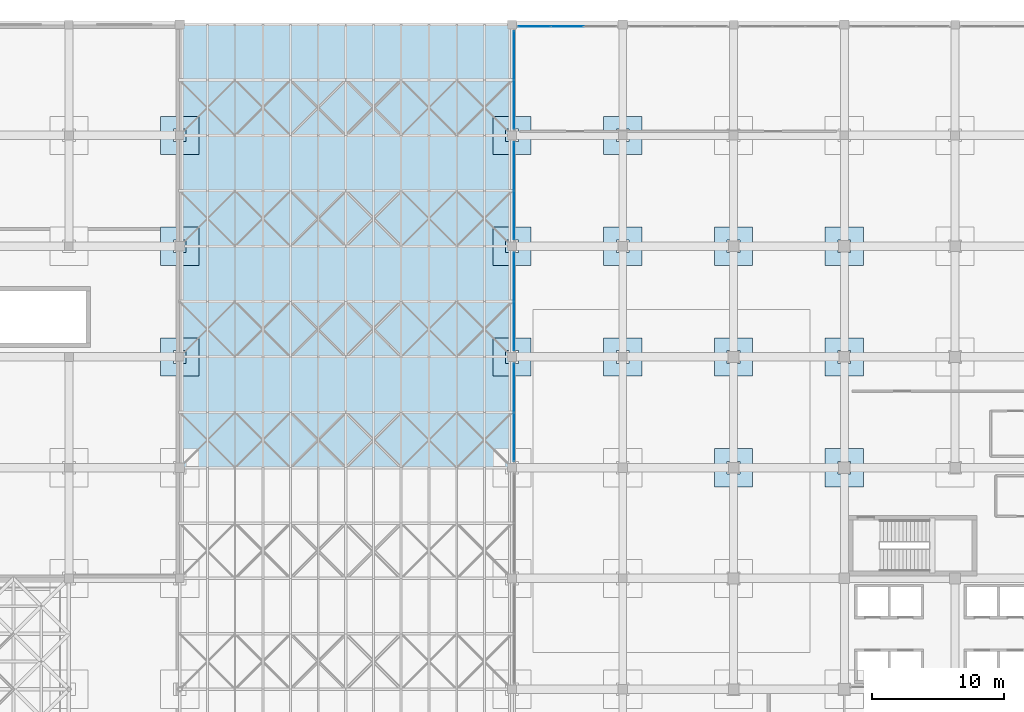
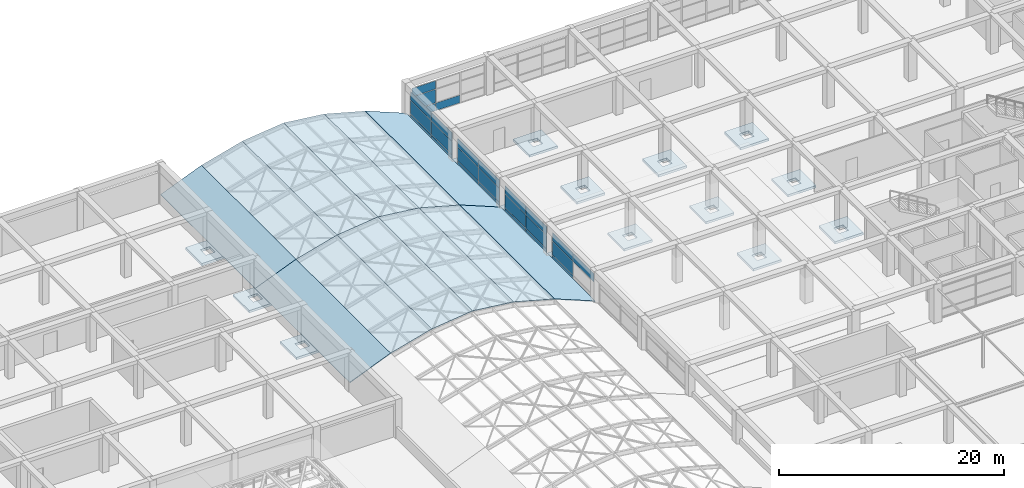
# One storey, part 69 of 85: 27 slabs, 26 plates, 7 elements without a shape of their own.
"""IFC4 building model written with IfcOpenShell, lengths in metres."""

from ifc_helpers import new_model, si_unit, direction, frame, origin, origin_2d, place, context, subcontext, project, spatial, polyline, rectangle, outline, extrude, material, layer, layer_set, type_object, element, aggregate, save


model = new_model("IFC4")

# Units and contexts
model_context = context("Model", 3, precision=1e-05, world=origin(), true_north=direction((0.0, 1.0)))
body_context = subcontext(model_context, "Body", "Model", "MODEL_VIEW")
ifc_project = project(units=[si_unit("LENGTHUNIT", "METRE"), si_unit("AREAUNIT", "SQUARE_METRE"), si_unit("VOLUMEUNIT", "CUBIC_METRE"), si_unit("PLANEANGLEUNIT", "RADIAN"), si_unit("MASSUNIT", "GRAM", prefix="KILO")], contexts=[model_context])

# Site, building, storey
site_placement = place(None, origin())
site = spatial("IfcSite", under=ifc_project, at=site_placement, CompositionType="ELEMENT")
building_placement = place(site_placement, origin())
building = spatial("IfcBuilding", under=site, at=building_placement, Name="Almacenes y Pasaje Nevantli", CompositionType="ELEMENT")
storey_placement = place(building_placement, frame((0.0, 0.0, 22.199951171875)))
storey = spatial("IfcBuildingStorey", under=building, at=storey_placement, Name="L05", CompositionType="ELEMENT", Elevation=22.199951171875)

# Curtain wall, plates
ifc_material_1 = material(Name="Thermally Broken Aluminium and Low-E Glass", Category="aluminium")
curtain_wall_type = type_object("IfcCurtainWallType", Name="CW-UNIT-PODIUM", PredefinedType="USERDEFINED", material=ifc_material_1)
curtain_wall_1_placement = place(storey_placement, origin())
curtain_wall_1 = element("IfcCurtainWall", 1, at=curtain_wall_1_placement, inside=storey, type_object=curtain_wall_type, Name="L05 Sky-Lobby North Curtain Wall Bay 12", ObjectType="UNITIZED CURTAIN WALL", PredefinedType="USERDEFINED")
ifc_material_2 = material(Name="Low-E Double Glazed Insulated Unit", Category="glass")
ifc_layer_1 = layer(ifc_material_2, 0.031982421875)
ifc_layer_set_1 = layer_set([ifc_layer_1], Name="Low-E Double Glazed Insulated Unit")
plate_type = type_object("IfcPlateType", Name="PL-IGU-32", PredefinedType="CURTAIN_PANEL", material=ifc_layer_set_1)
plate_1_placement = place(storey_placement, frame((94.11376953125, 117.449951171875, 0.05517578125), z_axis=(0.0, 0.0, 1.0), x_axis=(1.0, 0.0, 0.0)))
plate_1 = element("IfcPlate", 2, at=plate_1_placement, type_object=plate_type, Name="CW-L05-083 panel 1.1", PredefinedType="CURTAIN_PANEL", context=body_context, shape_type="SweptSolid", body=[
    extrude(rectangle(XDim=2.41748046875, YDim=0.031982421875, at=origin_2d()), origin(), (0.0, 0.0, 1.0), 0.8173828125),
])
plate_2_placement = place(storey_placement, frame((94.11376953125, 117.449951171875, 0.927734375), z_axis=(0.0, 0.0, 1.0), x_axis=(1.0, 0.0, 0.0)))
plate_2 = element("IfcPlate", 3, at=plate_2_placement, type_object=plate_type, Name="CW-L05-083 panel 1.2", PredefinedType="CURTAIN_PANEL", context=body_context, shape_type="SweptSolid", body=[
    extrude(rectangle(XDim=2.41748046875, YDim=0.031982421875, at=origin_2d()), origin(), (0.0, 0.0, 1.0), 1.445068359375),
])
plate_3_placement = place(storey_placement, frame((94.11376953125, 117.449951171875, 2.427734375), z_axis=(0.0, 0.0, 1.0), x_axis=(1.0, 0.0, 0.0)))
plate_3 = element("IfcPlate", 4, at=plate_3_placement, type_object=plate_type, Name="CW-L05-083 panel 1.3", PredefinedType="CURTAIN_PANEL", context=body_context, shape_type="SweptSolid", body=[
    extrude(rectangle(XDim=2.41748046875, YDim=0.031982421875, at=origin_2d()), origin(), (0.0, 0.0, 1.0), 0.887451171875),
])
plate_4_placement = place(storey_placement, frame((96.60009765625, 117.449951171875, 0.05517578125), z_axis=(0.0, 0.0, 1.0), x_axis=(1.0, 0.0, 0.0)))
plate_4 = element("IfcPlate", 5, at=plate_4_placement, type_object=plate_type, Name="CW-L05-083 panel 2.1", PredefinedType="CURTAIN_PANEL", context=body_context, shape_type="SweptSolid", body=[
    extrude(rectangle(XDim=2.445068359375, YDim=0.031982421875, at=origin_2d()), origin(), (0.0, 0.0, 1.0), 0.8173828125),
])
aggregate(curtain_wall_1, [plate_1, plate_2, plate_3, plate_4])

curtain_wall_2_placement = place(storey_placement, origin())
curtain_wall_2 = element("IfcCurtainWall", 6, at=curtain_wall_2_placement, inside=storey, type_object=curtain_wall_type, Name="L05 Sky-Lobby West Arcade View Curtain Wall Bay 11", ObjectType="UNITIZED CURTAIN WALL", PredefinedType="USERDEFINED")
plate_5_placement = place(storey_placement, frame((92.550048828125, 86.3388671875, 2.427734375), z_axis=(0.0, 0.0, 1.0), x_axis=(0.0, 1.0, 0.0)))
plate_5 = element("IfcPlate", 7, at=plate_5_placement, type_object=plate_type, Name="CW-L05-098 panel 1.3", PredefinedType="CURTAIN_PANEL", context=body_context, shape_type="SweptSolid", body=[
    extrude(rectangle(XDim=3.66748046875, YDim=0.031982421875, at=origin_2d()), origin(), (0.0, 0.0, 1.0), 0.887451171875),
])
plate_6_placement = place(storey_placement, frame((92.550048828125, 90.061279296875, 0.05517578125), z_axis=(0.0, 0.0, 1.0), x_axis=(0.0, 1.0, 0.0)))
plate_6 = element("IfcPlate", 8, at=plate_6_placement, type_object=plate_type, Name="CW-L05-098 panel 2.1", PredefinedType="CURTAIN_PANEL", context=body_context, shape_type="SweptSolid", body=[
    extrude(rectangle(XDim=3.66748046875, YDim=0.031982421875, at=origin_2d()), origin(), (0.0, 0.0, 1.0), 0.8173828125),
])
plate_7_placement = place(storey_placement, frame((92.550048828125, 90.061279296875, 0.927734375), z_axis=(0.0, 0.0, 1.0), x_axis=(0.0, 1.0, 0.0)))
plate_7 = element("IfcPlate", 9, at=plate_7_placement, type_object=plate_type, Name="CW-L05-098 panel 2.2", PredefinedType="CURTAIN_PANEL", context=body_context, shape_type="SweptSolid", body=[
    extrude(rectangle(XDim=3.66748046875, YDim=0.031982421875, at=origin_2d()), origin(), (0.0, 0.0, 1.0), 1.445068359375),
])
plate_8_placement = place(storey_placement, frame((92.550048828125, 90.061279296875, 2.427734375), z_axis=(0.0, 0.0, 1.0), x_axis=(0.0, 1.0, 0.0)))
plate_8 = element("IfcPlate", 10, at=plate_8_placement, type_object=plate_type, Name="CW-L05-098 panel 2.3", PredefinedType="CURTAIN_PANEL", context=body_context, shape_type="SweptSolid", body=[
    extrude(rectangle(XDim=3.66748046875, YDim=0.031982421875, at=origin_2d()), origin(), (0.0, 0.0, 1.0), 0.887451171875),
])
aggregate(curtain_wall_2, [plate_5, plate_6, plate_7, plate_8])

curtain_wall_3_placement = place(storey_placement, origin())
curtain_wall_3 = element("IfcCurtainWall", 11, at=curtain_wall_3_placement, inside=storey, type_object=curtain_wall_type, Name="L05 Sky-Lobby West Arcade View Curtain Wall Bay 12", ObjectType="UNITIZED CURTAIN WALL", PredefinedType="USERDEFINED")
plate_9_placement = place(storey_placement, frame((92.550048828125, 94.73876953125, 0.05517578125), z_axis=(0.0, 0.0, 1.0), x_axis=(0.0, 1.0, 0.0)))
plate_9 = element("IfcPlate", 12, at=plate_9_placement, type_object=plate_type, Name="CW-L05-099 panel 1.1", PredefinedType="CURTAIN_PANEL", context=body_context, shape_type="SweptSolid", body=[
    extrude(rectangle(XDim=3.66748046875, YDim=0.031982421875, at=origin_2d()), origin(), (0.0, 0.0, 1.0), 0.8173828125),
])
plate_10_placement = place(storey_placement, frame((92.550048828125, 94.73876953125, 0.927734375), z_axis=(0.0, 0.0, 1.0), x_axis=(0.0, 1.0, 0.0)))
plate_10 = element("IfcPlate", 13, at=plate_10_placement, type_object=plate_type, Name="CW-L05-099 panel 1.2", PredefinedType="CURTAIN_PANEL", context=body_context, shape_type="SweptSolid", body=[
    extrude(rectangle(XDim=3.66748046875, YDim=0.031982421875, at=origin_2d()), origin(), (0.0, 0.0, 1.0), 1.445068359375),
])
plate_11_placement = place(storey_placement, frame((92.550048828125, 94.73876953125, 2.427734375), z_axis=(0.0, 0.0, 1.0), x_axis=(0.0, 1.0, 0.0)))
plate_11 = element("IfcPlate", 14, at=plate_11_placement, type_object=plate_type, Name="CW-L05-099 panel 1.3", PredefinedType="CURTAIN_PANEL", context=body_context, shape_type="SweptSolid", body=[
    extrude(rectangle(XDim=3.66748046875, YDim=0.031982421875, at=origin_2d()), origin(), (0.0, 0.0, 1.0), 0.887451171875),
])
plate_12_placement = place(storey_placement, frame((92.550048828125, 98.461181640625, 0.05517578125), z_axis=(0.0, 0.0, 1.0), x_axis=(0.0, 1.0, 0.0)))
plate_12 = element("IfcPlate", 15, at=plate_12_placement, type_object=plate_type, Name="CW-L05-099 panel 2.1", PredefinedType="CURTAIN_PANEL", context=body_context, shape_type="SweptSolid", body=[
    extrude(rectangle(XDim=3.66748046875, YDim=0.031982421875, at=origin_2d()), origin(), (0.0, 0.0, 1.0), 0.8173828125),
])
plate_13_placement = place(storey_placement, frame((92.550048828125, 98.461181640625, 0.927734375), z_axis=(0.0, 0.0, 1.0), x_axis=(0.0, 1.0, 0.0)))
plate_13 = element("IfcPlate", 16, at=plate_13_placement, type_object=plate_type, Name="CW-L05-099 panel 2.2", PredefinedType="CURTAIN_PANEL", context=body_context, shape_type="SweptSolid", body=[
    extrude(rectangle(XDim=3.66748046875, YDim=0.031982421875, at=origin_2d()), origin(), (0.0, 0.0, 1.0), 1.445068359375),
])
plate_14_placement = place(storey_placement, frame((92.550048828125, 98.461181640625, 2.427734375), z_axis=(0.0, 0.0, 1.0), x_axis=(0.0, 1.0, 0.0)))
plate_14 = element("IfcPlate", 17, at=plate_14_placement, type_object=plate_type, Name="CW-L05-099 panel 2.3", PredefinedType="CURTAIN_PANEL", context=body_context, shape_type="SweptSolid", body=[
    extrude(rectangle(XDim=3.66748046875, YDim=0.031982421875, at=origin_2d()), origin(), (0.0, 0.0, 1.0), 0.887451171875),
])
aggregate(curtain_wall_3, [plate_9, plate_10, plate_11, plate_12, plate_13, plate_14])

curtain_wall_4_placement = place(storey_placement, origin())
curtain_wall_4 = element("IfcCurtainWall", 18, at=curtain_wall_4_placement, inside=storey, type_object=curtain_wall_type, Name="L05 Sky-Lobby West Arcade View Curtain Wall Bay 13", ObjectType="UNITIZED CURTAIN WALL", PredefinedType="USERDEFINED")
plate_15_placement = place(storey_placement, frame((92.550048828125, 103.138671875, 0.05517578125), z_axis=(0.0, 0.0, 1.0), x_axis=(0.0, 1.0, 0.0)))
plate_15 = element("IfcPlate", 19, at=plate_15_placement, type_object=plate_type, Name="CW-L05-100 panel 1.1", PredefinedType="CURTAIN_PANEL", context=body_context, shape_type="SweptSolid", body=[
    extrude(rectangle(XDim=3.66748046875, YDim=0.031982421875, at=origin_2d()), origin(), (0.0, 0.0, 1.0), 0.8173828125),
])
plate_16_placement = place(storey_placement, frame((92.550048828125, 103.138671875, 0.927734375), z_axis=(0.0, 0.0, 1.0), x_axis=(0.0, 1.0, 0.0)))
plate_16 = element("IfcPlate", 20, at=plate_16_placement, type_object=plate_type, Name="CW-L05-100 panel 1.2", PredefinedType="CURTAIN_PANEL", context=body_context, shape_type="SweptSolid", body=[
    extrude(rectangle(XDim=3.66748046875, YDim=0.031982421875, at=origin_2d()), origin(), (0.0, 0.0, 1.0), 1.445068359375),
])
plate_17_placement = place(storey_placement, frame((92.550048828125, 103.138671875, 2.427734375), z_axis=(0.0, 0.0, 1.0), x_axis=(0.0, 1.0, 0.0)))
plate_17 = element("IfcPlate", 21, at=plate_17_placement, type_object=plate_type, Name="CW-L05-100 panel 1.3", PredefinedType="CURTAIN_PANEL", context=body_context, shape_type="SweptSolid", body=[
    extrude(rectangle(XDim=3.66748046875, YDim=0.031982421875, at=origin_2d()), origin(), (0.0, 0.0, 1.0), 0.887451171875),
])
plate_18_placement = place(storey_placement, frame((92.550048828125, 106.861328125, 0.05517578125), z_axis=(0.0, 0.0, 1.0), x_axis=(0.0, 1.0, 0.0)))
plate_18 = element("IfcPlate", 22, at=plate_18_placement, type_object=plate_type, Name="CW-L05-100 panel 2.1", PredefinedType="CURTAIN_PANEL", context=body_context, shape_type="SweptSolid", body=[
    extrude(rectangle(XDim=3.66748046875, YDim=0.031982421875, at=origin_2d()), origin(), (0.0, 0.0, 1.0), 0.8173828125),
])
plate_19_placement = place(storey_placement, frame((92.550048828125, 106.861328125, 0.927734375), z_axis=(0.0, 0.0, 1.0), x_axis=(0.0, 1.0, 0.0)))
plate_19 = element("IfcPlate", 23, at=plate_19_placement, type_object=plate_type, Name="CW-L05-100 panel 2.2", PredefinedType="CURTAIN_PANEL", context=body_context, shape_type="SweptSolid", body=[
    extrude(rectangle(XDim=3.66748046875, YDim=0.031982421875, at=origin_2d()), origin(), (0.0, 0.0, 1.0), 1.445068359375),
])
plate_20_placement = place(storey_placement, frame((92.550048828125, 106.861328125, 2.427734375), z_axis=(0.0, 0.0, 1.0), x_axis=(0.0, 1.0, 0.0)))
plate_20 = element("IfcPlate", 24, at=plate_20_placement, type_object=plate_type, Name="CW-L05-100 panel 2.3", PredefinedType="CURTAIN_PANEL", context=body_context, shape_type="SweptSolid", body=[
    extrude(rectangle(XDim=3.66748046875, YDim=0.031982421875, at=origin_2d()), origin(), (0.0, 0.0, 1.0), 0.887451171875),
])
aggregate(curtain_wall_4, [plate_15, plate_16, plate_17, plate_18, plate_19, plate_20])

curtain_wall_5_placement = place(storey_placement, origin())
curtain_wall_5 = element("IfcCurtainWall", 25, at=curtain_wall_5_placement, inside=storey, type_object=curtain_wall_type, Name="L05 Sky-Lobby West Arcade View Curtain Wall Bay 14", ObjectType="UNITIZED CURTAIN WALL", PredefinedType="USERDEFINED")
plate_21_placement = place(storey_placement, frame((92.550048828125, 111.538818359375, 0.05517578125), z_axis=(0.0, 0.0, 1.0), x_axis=(0.0, 1.0, 0.0)))
plate_21 = element("IfcPlate", 26, at=plate_21_placement, type_object=plate_type, Name="CW-L05-101 panel 1.1", PredefinedType="CURTAIN_PANEL", context=body_context, shape_type="SweptSolid", body=[
    extrude(rectangle(XDim=3.66748046875, YDim=0.031982421875, at=origin_2d()), origin(), (0.0, 0.0, 1.0), 0.8173828125),
])
plate_22_placement = place(storey_placement, frame((92.550048828125, 111.538818359375, 0.927734375), z_axis=(0.0, 0.0, 1.0), x_axis=(0.0, 1.0, 0.0)))
plate_22 = element("IfcPlate", 27, at=plate_22_placement, type_object=plate_type, Name="CW-L05-101 panel 1.2", PredefinedType="CURTAIN_PANEL", context=body_context, shape_type="SweptSolid", body=[
    extrude(rectangle(XDim=3.66748046875, YDim=0.031982421875, at=origin_2d()), origin(), (0.0, 0.0, 1.0), 1.445068359375),
])
plate_23_placement = place(storey_placement, frame((92.550048828125, 111.538818359375, 2.427734375), z_axis=(0.0, 0.0, 1.0), x_axis=(0.0, 1.0, 0.0)))
plate_23 = element("IfcPlate", 28, at=plate_23_placement, type_object=plate_type, Name="CW-L05-101 panel 1.3", PredefinedType="CURTAIN_PANEL", context=body_context, shape_type="SweptSolid", body=[
    extrude(rectangle(XDim=3.66748046875, YDim=0.031982421875, at=origin_2d()), origin(), (0.0, 0.0, 1.0), 0.887451171875),
])
plate_24_placement = place(storey_placement, frame((92.550048828125, 115.26123046875, 0.05517578125), z_axis=(0.0, 0.0, 1.0), x_axis=(0.0, 1.0, 0.0)))
plate_24 = element("IfcPlate", 29, at=plate_24_placement, type_object=plate_type, Name="CW-L05-101 panel 2.1", PredefinedType="CURTAIN_PANEL", context=body_context, shape_type="SweptSolid", body=[
    extrude(rectangle(XDim=3.66748046875, YDim=0.031982421875, at=origin_2d()), origin(), (0.0, 0.0, 1.0), 0.8173828125),
])
plate_25_placement = place(storey_placement, frame((92.550048828125, 115.26123046875, 0.927734375), z_axis=(0.0, 0.0, 1.0), x_axis=(0.0, 1.0, 0.0)))
plate_25 = element("IfcPlate", 30, at=plate_25_placement, type_object=plate_type, Name="CW-L05-101 panel 2.2", PredefinedType="CURTAIN_PANEL", context=body_context, shape_type="SweptSolid", body=[
    extrude(rectangle(XDim=3.66748046875, YDim=0.031982421875, at=origin_2d()), origin(), (0.0, 0.0, 1.0), 1.445068359375),
])
plate_26_placement = place(storey_placement, frame((92.550048828125, 115.26123046875, 2.427734375), z_axis=(0.0, 0.0, 1.0), x_axis=(0.0, 1.0, 0.0)))
plate_26 = element("IfcPlate", 31, at=plate_26_placement, type_object=plate_type, Name="CW-L05-101 panel 2.3", PredefinedType="CURTAIN_PANEL", context=body_context, shape_type="SweptSolid", body=[
    extrude(rectangle(XDim=3.66748046875, YDim=0.031982421875, at=origin_2d()), origin(), (0.0, 0.0, 1.0), 0.887451171875),
])
aggregate(curtain_wall_5, [plate_21, plate_22, plate_23, plate_24, plate_25, plate_26])

# Slabs
ifc_material_3 = material(Name="Concrete C35/45", Category="concrete")
ifc_layer_2 = layer(ifc_material_3, 0.25)
ifc_layer_set_2 = layer_set([ifc_layer_2], Name="Concrete C35/45")
slab_type_1 = type_object("IfcSlabType", Name="SLB-DP-250", PredefinedType="USERDEFINED", material=ifc_layer_set_2)
slab_1_placement = place(storey_placement, frame((0.0, 0.0, -0.550048828125)))
element("IfcSlab", 32, at=slab_1_placement, inside=storey, type_object=slab_type_1, Name="L05 Punching-Shear Drop Panel DP-02 #1002", ObjectType="DROP PANEL", PredefinedType="USERDEFINED", context=body_context, shape_type="SweptSolid", body=[
    extrude(outline(polyline([(65.75, 90.949951171875), (68.64990234375, 90.949951171875), (68.64990234375, 93.85009765625), (65.75, 93.85009765625), (65.75, 90.949951171875)]), holes=[polyline([(66.719970703125, 91.919921875), (67.679931640625, 91.919921875), (67.679931640625, 92.8798828125), (66.719970703125, 92.8798828125), (66.719970703125, 91.919921875)])]), origin(), (0.0, 0.0, 1.0), 0.25),
])
slab_2_placement = place(storey_placement, frame((0.0, 0.0, -0.550048828125)))
element("IfcSlab", 33, at=slab_2_placement, inside=storey, type_object=slab_type_1, Name="L05 Punching-Shear Drop Panel DP-02 #1003", ObjectType="DROP PANEL", PredefinedType="USERDEFINED", context=body_context, shape_type="SweptSolid", body=[
    extrude(outline(polyline([(65.75, 99.35009765625), (68.64990234375, 99.35009765625), (68.64990234375, 102.25), (65.75, 102.25), (65.75, 99.35009765625)]), holes=[polyline([(66.719970703125, 100.320068359375), (67.679931640625, 100.320068359375), (67.679931640625, 101.280029296875), (66.719970703125, 101.280029296875), (66.719970703125, 100.320068359375)])]), origin(), (0.0, 0.0, 1.0), 0.25),
])
slab_3_placement = place(storey_placement, frame((0.0, 0.0, -0.550048828125)))
element("IfcSlab", 34, at=slab_3_placement, inside=storey, type_object=slab_type_1, Name="L05 Punching-Shear Drop Panel DP-02 #1004", ObjectType="DROP PANEL", PredefinedType="USERDEFINED", context=body_context, shape_type="SweptSolid", body=[
    extrude(outline(polyline([(65.75, 107.75), (68.64990234375, 107.75), (68.64990234375, 110.64990234375), (65.75, 110.64990234375), (65.75, 107.75)]), holes=[polyline([(66.719970703125, 108.719970703125), (67.679931640625, 108.719970703125), (67.679931640625, 109.679931640625), (66.719970703125, 109.679931640625), (66.719970703125, 108.719970703125)])]), origin(), (0.0, 0.0, 1.0), 0.25),
])
slab_4_placement = place(storey_placement, frame((0.0, 0.0, -0.550048828125)))
element("IfcSlab", 35, at=slab_4_placement, inside=storey, type_object=slab_type_1, Name="L05 Punching-Shear Drop Panel DP-02 #1014", ObjectType="DROP PANEL", PredefinedType="USERDEFINED", context=body_context, shape_type="SweptSolid", body=[
    extrude(outline(polyline([(90.949951171875, 90.949951171875), (93.85009765625, 90.949951171875), (93.85009765625, 93.85009765625), (90.949951171875, 93.85009765625), (90.949951171875, 90.949951171875)]), holes=[polyline([(91.919921875, 91.919921875), (92.8798828125, 91.919921875), (92.8798828125, 92.8798828125), (91.919921875, 92.8798828125), (91.919921875, 91.919921875)])]), origin(), (0.0, 0.0, 1.0), 0.25),
])
slab_5_placement = place(storey_placement, frame((0.0, 0.0, -0.550048828125)))
element("IfcSlab", 36, at=slab_5_placement, inside=storey, type_object=slab_type_1, Name="L05 Punching-Shear Drop Panel DP-02 #1015", ObjectType="DROP PANEL", PredefinedType="USERDEFINED", context=body_context, shape_type="SweptSolid", body=[
    extrude(outline(polyline([(90.949951171875, 99.35009765625), (93.85009765625, 99.35009765625), (93.85009765625, 102.25), (90.949951171875, 102.25), (90.949951171875, 99.35009765625)]), holes=[polyline([(91.919921875, 100.320068359375), (92.8798828125, 100.320068359375), (92.8798828125, 101.280029296875), (91.919921875, 101.280029296875), (91.919921875, 100.320068359375)])]), origin(), (0.0, 0.0, 1.0), 0.25),
])
slab_6_placement = place(storey_placement, frame((0.0, 0.0, -0.550048828125)))
element("IfcSlab", 37, at=slab_6_placement, inside=storey, type_object=slab_type_1, Name="L05 Punching-Shear Drop Panel DP-02 #1016", ObjectType="DROP PANEL", PredefinedType="USERDEFINED", context=body_context, shape_type="SweptSolid", body=[
    extrude(outline(polyline([(90.949951171875, 107.75), (93.85009765625, 107.75), (93.85009765625, 110.64990234375), (90.949951171875, 110.64990234375), (90.949951171875, 107.75)]), holes=[polyline([(91.919921875, 108.719970703125), (92.8798828125, 108.719970703125), (92.8798828125, 109.679931640625), (91.919921875, 109.679931640625), (91.919921875, 108.719970703125)])]), origin(), (0.0, 0.0, 1.0), 0.25),
])
slab_7_placement = place(storey_placement, frame((0.0, 0.0, -0.550048828125)))
element("IfcSlab", 38, at=slab_7_placement, inside=storey, type_object=slab_type_1, Name="L05 Punching-Shear Drop Panel DP-02 #1025", ObjectType="DROP PANEL", PredefinedType="USERDEFINED", context=body_context, shape_type="SweptSolid", body=[
    extrude(outline(polyline([(99.35009765625, 90.949951171875), (102.25, 90.949951171875), (102.25, 93.85009765625), (99.35009765625, 93.85009765625), (99.35009765625, 90.949951171875)]), holes=[polyline([(100.320068359375, 91.919921875), (101.280029296875, 91.919921875), (101.280029296875, 92.8798828125), (100.320068359375, 92.8798828125), (100.320068359375, 91.919921875)])]), origin(), (0.0, 0.0, 1.0), 0.25),
])
slab_8_placement = place(storey_placement, frame((0.0, 0.0, -0.550048828125)))
element("IfcSlab", 39, at=slab_8_placement, inside=storey, type_object=slab_type_1, Name="L05 Punching-Shear Drop Panel DP-02 #1026", ObjectType="DROP PANEL", PredefinedType="USERDEFINED", context=body_context, shape_type="SweptSolid", body=[
    extrude(outline(polyline([(99.35009765625, 99.35009765625), (102.25, 99.35009765625), (102.25, 102.25), (99.35009765625, 102.25), (99.35009765625, 99.35009765625)]), holes=[polyline([(100.320068359375, 100.320068359375), (101.280029296875, 100.320068359375), (101.280029296875, 101.280029296875), (100.320068359375, 101.280029296875), (100.320068359375, 100.320068359375)])]), origin(), (0.0, 0.0, 1.0), 0.25),
])
slab_9_placement = place(storey_placement, frame((0.0, 0.0, -0.550048828125)))
element("IfcSlab", 40, at=slab_9_placement, inside=storey, type_object=slab_type_1, Name="L05 Punching-Shear Drop Panel DP-02 #1027", ObjectType="DROP PANEL", PredefinedType="USERDEFINED", context=body_context, shape_type="SweptSolid", body=[
    extrude(outline(polyline([(99.35009765625, 107.75), (102.25, 107.75), (102.25, 110.64990234375), (99.35009765625, 110.64990234375), (99.35009765625, 107.75)]), holes=[polyline([(100.320068359375, 108.719970703125), (101.280029296875, 108.719970703125), (101.280029296875, 109.679931640625), (100.320068359375, 109.679931640625), (100.320068359375, 108.719970703125)])]), origin(), (0.0, 0.0, 1.0), 0.25),
])
slab_10_placement = place(storey_placement, frame((0.0, 0.0, -0.550048828125)))
element("IfcSlab", 41, at=slab_10_placement, inside=storey, type_object=slab_type_1, Name="L05 Punching-Shear Drop Panel DP-02 #1036", ObjectType="DROP PANEL", PredefinedType="USERDEFINED", context=body_context, shape_type="SweptSolid", body=[
    extrude(outline(polyline([(107.75, 82.550048828125), (110.64990234375, 82.550048828125), (110.64990234375, 85.449951171875), (107.75, 85.449951171875), (107.75, 82.550048828125)]), holes=[polyline([(108.719970703125, 83.52001953125), (109.679931640625, 83.52001953125), (109.679931640625, 84.47998046875), (108.719970703125, 84.47998046875), (108.719970703125, 83.52001953125)])]), origin(), (0.0, 0.0, 1.0), 0.25),
])
slab_11_placement = place(storey_placement, frame((0.0, 0.0, -0.550048828125)))
element("IfcSlab", 42, at=slab_11_placement, inside=storey, type_object=slab_type_1, Name="L05 Punching-Shear Drop Panel DP-02 #1037", ObjectType="DROP PANEL", PredefinedType="USERDEFINED", context=body_context, shape_type="SweptSolid", body=[
    extrude(outline(polyline([(107.75, 90.949951171875), (110.64990234375, 90.949951171875), (110.64990234375, 93.85009765625), (107.75, 93.85009765625), (107.75, 90.949951171875)]), holes=[polyline([(108.719970703125, 91.919921875), (109.679931640625, 91.919921875), (109.679931640625, 92.8798828125), (108.719970703125, 92.8798828125), (108.719970703125, 91.919921875)])]), origin(), (0.0, 0.0, 1.0), 0.25),
])
slab_12_placement = place(storey_placement, frame((0.0, 0.0, -0.550048828125)))
element("IfcSlab", 43, at=slab_12_placement, inside=storey, type_object=slab_type_1, Name="L05 Punching-Shear Drop Panel DP-02 #1038", ObjectType="DROP PANEL", PredefinedType="USERDEFINED", context=body_context, shape_type="SweptSolid", body=[
    extrude(outline(polyline([(107.75, 99.35009765625), (110.64990234375, 99.35009765625), (110.64990234375, 102.25), (107.75, 102.25), (107.75, 99.35009765625)]), holes=[polyline([(108.719970703125, 100.320068359375), (109.679931640625, 100.320068359375), (109.679931640625, 101.280029296875), (108.719970703125, 101.280029296875), (108.719970703125, 100.320068359375)])]), origin(), (0.0, 0.0, 1.0), 0.25),
])
slab_13_placement = place(storey_placement, frame((0.0, 0.0, -0.550048828125)))
element("IfcSlab", 44, at=slab_13_placement, inside=storey, type_object=slab_type_1, Name="L05 Punching-Shear Drop Panel DP-02 #1048", ObjectType="DROP PANEL", PredefinedType="USERDEFINED", context=body_context, shape_type="SweptSolid", body=[
    extrude(outline(polyline([(116.14990234375, 82.550048828125), (119.050048828125, 82.550048828125), (119.050048828125, 85.449951171875), (116.14990234375, 85.449951171875), (116.14990234375, 82.550048828125)]), holes=[polyline([(117.1201171875, 83.52001953125), (118.080078125, 83.52001953125), (118.080078125, 84.47998046875), (117.1201171875, 84.47998046875), (117.1201171875, 83.52001953125)])]), origin(), (0.0, 0.0, 1.0), 0.25),
])
slab_14_placement = place(storey_placement, frame((0.0, 0.0, -0.550048828125)))
element("IfcSlab", 45, at=slab_14_placement, inside=storey, type_object=slab_type_1, Name="L05 Punching-Shear Drop Panel DP-02 #1049", ObjectType="DROP PANEL", PredefinedType="USERDEFINED", context=body_context, shape_type="SweptSolid", body=[
    extrude(outline(polyline([(116.14990234375, 90.949951171875), (119.050048828125, 90.949951171875), (119.050048828125, 93.85009765625), (116.14990234375, 93.85009765625), (116.14990234375, 90.949951171875)]), holes=[polyline([(117.1201171875, 91.919921875), (118.080078125, 91.919921875), (118.080078125, 92.8798828125), (117.1201171875, 92.8798828125), (117.1201171875, 91.919921875)])]), origin(), (0.0, 0.0, 1.0), 0.25),
])
slab_15_placement = place(storey_placement, frame((0.0, 0.0, -0.550048828125)))
element("IfcSlab", 46, at=slab_15_placement, inside=storey, type_object=slab_type_1, Name="L05 Punching-Shear Drop Panel DP-02 #1050", ObjectType="DROP PANEL", PredefinedType="USERDEFINED", context=body_context, shape_type="SweptSolid", body=[
    extrude(outline(polyline([(116.14990234375, 99.35009765625), (119.050048828125, 99.35009765625), (119.050048828125, 102.25), (116.14990234375, 102.25), (116.14990234375, 99.35009765625)]), holes=[polyline([(117.1201171875, 100.320068359375), (118.080078125, 100.320068359375), (118.080078125, 101.280029296875), (117.1201171875, 101.280029296875), (117.1201171875, 100.320068359375)])]), origin(), (0.0, 0.0, 1.0), 0.25),
])

# Roof, slabs
ifc_material_4 = material(Name="Steel ASTM A992 and Insulated Safety Glass", Category="steel")
roof_type = type_object("IfcRoofType", Name="ROOF-BARREL-VAULT", PredefinedType="BARREL_ROOF", material=ifc_material_4)
roof_1_placement = place(storey_placement, origin())
roof_1 = element("IfcRoof", 47, at=roof_1_placement, inside=storey, type_object=roof_type, Name="Arcade Barrel Vault Glazed Skylight Roof Zone 6", PredefinedType="BARREL_ROOF")
ifc_material_5 = material(Name="Tempered Insulated Hail Safety Glass", Category="glass")
ifc_layer_3 = layer(ifc_material_5, 0.080078125)
ifc_layer_set_3 = layer_set([ifc_layer_3], Name="Tempered Insulated Hail Safety Glass")
slab_type_2 = type_object("IfcSlabType", Name="SLB-ROOF-GLASS-80", PredefinedType="ROOF", material=ifc_layer_set_3)
slab_16_placement = place(storey_placement, frame((67.199951171875, 84.0, 0.719970703125), z_axis=(-0.375233542792, 0.0, 0.926930303941), x_axis=(0.926930303941, 0.0, 0.375233542792)))
slab_16 = element("IfcSlab", 48, at=slab_16_placement, type_object=slab_type_2, Name="Arcade Barrel Vault Insulated Safety Glass Roof Panel 6.1", PredefinedType="ROOF", context=body_context, shape_type="SweptSolid", body=[
    extrude(outline(polyline([(0.0, 0.0), (4.531032326830295, 0.0), (4.531032326830295, 16.800048828125), (0.0, 16.800048828125), (0.0, 0.0)])), origin(), (0.0, 0.0, -1.0), 0.080078125),
])
slab_17_placement = place(storey_placement, frame((71.39990234375, 84.0, 2.420166015625), z_axis=(-0.264056551336, 0.0, 0.964507199401), x_axis=(0.964507199401, 0.0, 0.264056551336)))
slab_17 = element("IfcSlab", 49, at=slab_17_placement, type_object=slab_type_2, Name="Arcade Barrel Vault Insulated Safety Glass Roof Panel 6.2", PredefinedType="ROOF", context=body_context, shape_type="SweptSolid", body=[
    extrude(outline(polyline([(0.0, 0.0), (4.35475786506078, 0.0), (4.35475786506078, 16.800048828125), (0.0, 16.800048828125), (0.0, 0.0)])), origin(), (0.0, 0.0, -1.0), 0.080078125),
])
slab_18_placement = place(storey_placement, frame((75.60009765625, 84.0, 3.570068359375), z_axis=(-0.118214244908, 0.0, 0.99298811287), x_axis=(0.99298811287, 0.0, 0.118214244908)))
slab_18 = element("IfcSlab", 50, at=slab_18_placement, type_object=slab_type_2, Name="Arcade Barrel Vault Insulated Safety Glass Roof Panel 6.3", PredefinedType="ROOF", context=body_context, shape_type="SweptSolid", body=[
    extrude(outline(polyline([(0.0, 0.0), (4.229608710759683, 0.0), (4.229608710759683, 16.800048828125), (0.0, 16.800048828125), (0.0, 0.0)])), origin(), (0.0, 0.0, -1.0), 0.080078125),
])
slab_19_placement = place(storey_placement, frame((79.800048828125, 84.0, 4.070068359375), z_axis=(0.118214244908, 0.0, 0.99298811287), x_axis=(0.99298811287, 0.0, -0.118214244908)))
slab_19 = element("IfcSlab", 51, at=slab_19_placement, type_object=slab_type_2, Name="Arcade Barrel Vault Insulated Safety Glass Roof Panel 6.4", PredefinedType="ROOF", context=body_context, shape_type="SweptSolid", body=[
    extrude(outline(polyline([(0.0, 0.0), (4.229608710759683, 0.0), (4.229608710759683, 16.800048828125), (0.0, 16.800048828125), (0.0, 0.0)])), origin(), (0.0, 0.0, -1.0), 0.080078125),
])
slab_20_placement = place(storey_placement, frame((84.0, 84.0, 3.570068359375), z_axis=(0.264070830443, 0.0, 0.964503290046), x_axis=(0.964503290046, 0.0, -0.264070830443)))
slab_20 = element("IfcSlab", 52, at=slab_20_placement, type_object=slab_type_2, Name="Arcade Barrel Vault Insulated Safety Glass Roof Panel 6.5", PredefinedType="ROOF", context=body_context, shape_type="SweptSolid", body=[
    extrude(outline(polyline([(0.0, 0.0), (4.354522390147504, 0.0), (4.354522390147504, 16.800048828125), (0.0, 16.800048828125), (0.0, 0.0)])), origin(), (0.0, 0.0, -1.0), 0.080078125),
])
slab_21_placement = place(storey_placement, frame((88.199951171875, 84.0, 2.420166015625), z_axis=(0.375233542792, 0.0, 0.926930303941), x_axis=(0.926930303941, 0.0, -0.375233542792)))
slab_21 = element("IfcSlab", 53, at=slab_21_placement, type_object=slab_type_2, Name="Arcade Barrel Vault Insulated Safety Glass Roof Panel 6.6", PredefinedType="ROOF", context=body_context, shape_type="SweptSolid", body=[
    extrude(outline(polyline([(0.0, 0.0), (4.531032326830295, 0.0), (4.531032326830295, 16.800048828125), (0.0, 16.800048828125), (0.0, 0.0)])), origin(), (0.0, 0.0, -1.0), 0.080078125),
])
aggregate(roof_1, [slab_16, slab_17, slab_18, slab_19, slab_20, slab_21])

roof_2_placement = place(storey_placement, origin())
roof_2 = element("IfcRoof", 54, at=roof_2_placement, inside=storey, type_object=roof_type, Name="Arcade Barrel Vault Glazed Skylight Roof Zone 7", PredefinedType="BARREL_ROOF")
slab_22_placement = place(storey_placement, frame((67.199951171875, 100.800048828125, 0.719970703125), z_axis=(-0.375233542792, 0.0, 0.926930303941), x_axis=(0.926930303941, 0.0, 0.375233542792)))
slab_22 = element("IfcSlab", 55, at=slab_22_placement, type_object=slab_type_2, Name="Arcade Barrel Vault Insulated Safety Glass Roof Panel 7.1", PredefinedType="ROOF", context=body_context, shape_type="SweptSolid", body=[
    extrude(outline(polyline([(0.0, 0.0), (4.531032326830295, 0.0), (4.531032326830295, 16.800048828125), (0.0, 16.800048828125), (0.0, 0.0)])), origin(), (0.0, 0.0, -1.0), 0.080078125),
])
slab_23_placement = place(storey_placement, frame((71.39990234375, 100.800048828125, 2.420166015625), z_axis=(-0.264056551336, 0.0, 0.964507199401), x_axis=(0.964507199401, 0.0, 0.264056551336)))
slab_23 = element("IfcSlab", 56, at=slab_23_placement, type_object=slab_type_2, Name="Arcade Barrel Vault Insulated Safety Glass Roof Panel 7.2", PredefinedType="ROOF", context=body_context, shape_type="SweptSolid", body=[
    extrude(outline(polyline([(0.0, 0.0), (4.35475786506078, 0.0), (4.35475786506078, 16.800048828125), (0.0, 16.800048828125), (0.0, 0.0)])), origin(), (0.0, 0.0, -1.0), 0.080078125),
])
slab_24_placement = place(storey_placement, frame((75.60009765625, 100.800048828125, 3.570068359375), z_axis=(-0.118214244908, 0.0, 0.99298811287), x_axis=(0.99298811287, 0.0, 0.118214244908)))
slab_24 = element("IfcSlab", 57, at=slab_24_placement, type_object=slab_type_2, Name="Arcade Barrel Vault Insulated Safety Glass Roof Panel 7.3", PredefinedType="ROOF", context=body_context, shape_type="SweptSolid", body=[
    extrude(outline(polyline([(0.0, 0.0), (4.229608710759683, 0.0), (4.229608710759683, 16.800048828125), (0.0, 16.800048828125), (0.0, 0.0)])), origin(), (0.0, 0.0, -1.0), 0.080078125),
])
slab_25_placement = place(storey_placement, frame((79.800048828125, 100.800048828125, 4.070068359375), z_axis=(0.118214244908, 0.0, 0.99298811287), x_axis=(0.99298811287, 0.0, -0.118214244908)))
slab_25 = element("IfcSlab", 58, at=slab_25_placement, type_object=slab_type_2, Name="Arcade Barrel Vault Insulated Safety Glass Roof Panel 7.4", PredefinedType="ROOF", context=body_context, shape_type="SweptSolid", body=[
    extrude(outline(polyline([(0.0, 0.0), (4.229608710759683, 0.0), (4.229608710759683, 16.800048828125), (0.0, 16.800048828125), (0.0, 0.0)])), origin(), (0.0, 0.0, -1.0), 0.080078125),
])
slab_26_placement = place(storey_placement, frame((84.0, 100.800048828125, 3.570068359375), z_axis=(0.264070830443, 0.0, 0.964503290046), x_axis=(0.964503290046, 0.0, -0.264070830443)))
slab_26 = element("IfcSlab", 59, at=slab_26_placement, type_object=slab_type_2, Name="Arcade Barrel Vault Insulated Safety Glass Roof Panel 7.5", PredefinedType="ROOF", context=body_context, shape_type="SweptSolid", body=[
    extrude(outline(polyline([(0.0, 0.0), (4.354522390147504, 0.0), (4.354522390147504, 16.800048828125), (0.0, 16.800048828125), (0.0, 0.0)])), origin(), (0.0, 0.0, -1.0), 0.080078125),
])
slab_27_placement = place(storey_placement, frame((88.199951171875, 100.800048828125, 2.420166015625), z_axis=(0.375233542792, 0.0, 0.926930303941), x_axis=(0.926930303941, 0.0, -0.375233542792)))
slab_27 = element("IfcSlab", 60, at=slab_27_placement, type_object=slab_type_2, Name="Arcade Barrel Vault Insulated Safety Glass Roof Panel 7.6", PredefinedType="ROOF", context=body_context, shape_type="SweptSolid", body=[
    extrude(outline(polyline([(0.0, 0.0), (4.531032326830295, 0.0), (4.531032326830295, 16.800048828125), (0.0, 16.800048828125), (0.0, 0.0)])), origin(), (0.0, 0.0, -1.0), 0.080078125),
])
aggregate(roof_2, [slab_22, slab_23, slab_24, slab_25, slab_26, slab_27])

save(model, "model.ifc")
